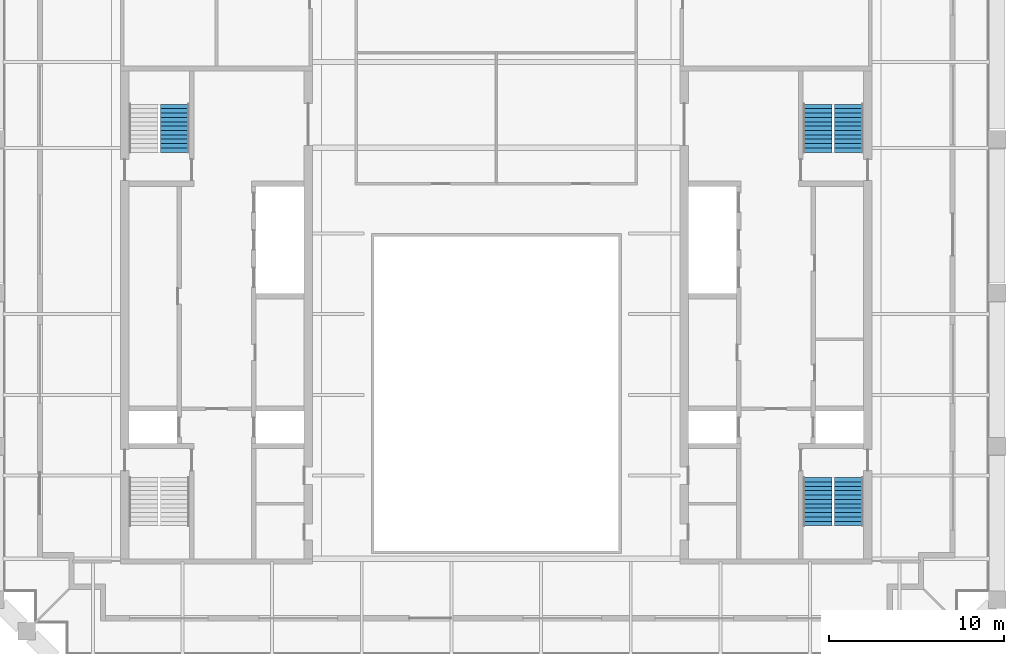
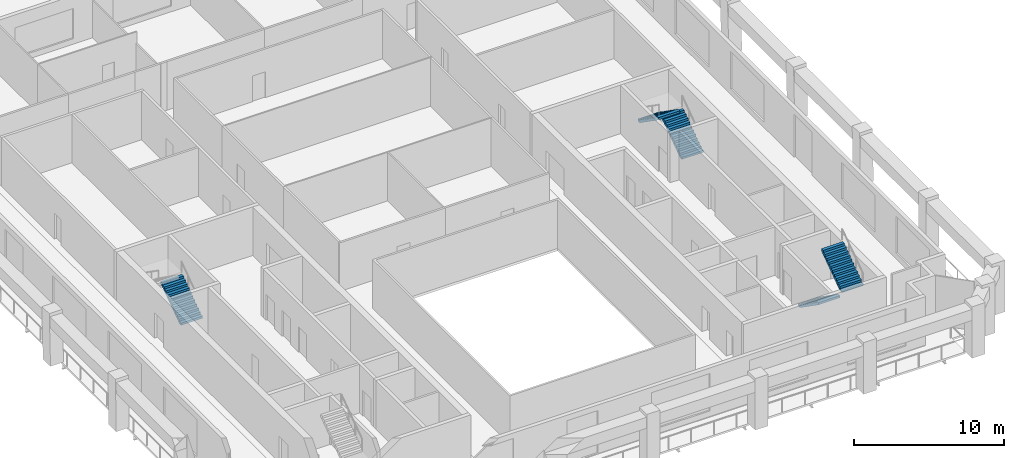
# One storey, part 7 of 9: 5 stair flights, 3 elements without a shape of their own.
"""IFC4 building model written with IfcOpenShell, lengths in metres."""

import ifcopenshell
import ifcopenshell.guid

model = None  # the IFC model being written
_history = None  # IfcOwnerHistory: only IFC2X3 demands one
_inside = {}  # id of a spatial element -> (the spatial element, [elements in it])
_under = {}  # id of a project, library or spatial element -> (it, [spatial elements below it])
_declared = {}  # id of a project -> (the project, [libraries it declares])
_typed = {}  # id of a type object -> (the type object, [elements of that type])
_made_of = {}  # id of a material, layer set ... -> (it, [elements and type objects made of it])


def new_model(schema):
    """Start an empty IFC model of exactly this schema.

    Asked for "IFC4X3", IfcOpenShell would pick the latest addendum, in which some entities
    have other attributes; the version numbers below select the first issue.
    IFC2X3 requires an IfcOwnerHistory on every rooted entity: one is made here for all.
    """
    global model, _history
    if schema == "IFC4X3":
        model = ifcopenshell.file(schema_version=(4, 3, 0, 0))
    else:
        model = ifcopenshell.file(schema=schema)
    _inside.clear()
    _under.clear()
    _declared.clear()
    _typed.clear()
    _made_of.clear()
    _history = None
    if model.schema == "IFC2X3":
        org = make("IfcOrganization", Name="unknown")
        user = make(
            "IfcPersonAndOrganization",
            ThePerson=make("IfcPerson", FamilyName="unknown"),
            TheOrganization=org,
        )
        app = make(
            "IfcApplication",
            ApplicationDeveloper=org,
            Version="unknown",
            ApplicationFullName="unknown",
            ApplicationIdentifier="unknown",
        )
        _history = make(
            "IfcOwnerHistory",
            OwningUser=user,
            OwningApplication=app,
            ChangeAction="ADDED",
            CreationDate=0,
        )
    return model


def make(cls, **values):
    """One entity of the class cls with the attributes given. An attribute that is None is left unset."""
    return model.create_entity(
        cls, **{name: value for name, value in values.items() if value is not None}
    )


def rooted(cls, **values):
    """An entity with a GlobalId (a new one), such as an element, a storey or a relation."""
    return make(cls, GlobalId=ifcopenshell.guid.new(), OwnerHistory=_history, **values)


def si_unit(unit_type, name, prefix=None):
    """IfcSIUnit, for example si_unit("LENGTHUNIT", "METRE", prefix="MILLI")."""
    return make("IfcSIUnit", UnitType=unit_type, Prefix=prefix, Name=name)


def assignment(units):
    """IfcUnitAssignment: the units of a project."""
    return None if units is None else make("IfcUnitAssignment", Units=units)


def point(xyz):
    """IfcCartesianPoint."""
    return None if xyz is None else make("IfcCartesianPoint", Coordinates=xyz)


def direction(xyz):
    """IfcDirection."""
    return None if xyz is None else make("IfcDirection", DirectionRatios=xyz)


def frame(location, z_axis=None, x_axis=None):
    """IfcAxis2Placement3D, a coordinate frame: its origin and axes. An axis left out is left unset."""
    return make(
        "IfcAxis2Placement3D",
        Location=point(location),
        Axis=direction(z_axis),
        RefDirection=direction(x_axis),
    )


def origin():
    """The frame at (0, 0, 0) with its axes left unset."""
    return frame((0.0, 0.0, 0.0))


def place(relative_to, where):
    """IfcLocalPlacement: puts the frame where relative to a parent placement (None: the world)."""
    return make(
        "IfcLocalPlacement", PlacementRelTo=relative_to, RelativePlacement=where
    )


def context(
    kind, dimensions, precision=None, world=None, true_north=None, identifier=None
):
    """IfcGeometricRepresentationContext, for example the 3D "Model" context."""
    return make(
        "IfcGeometricRepresentationContext",
        ContextIdentifier=identifier,
        ContextType=kind,
        CoordinateSpaceDimension=dimensions,
        Precision=precision,
        WorldCoordinateSystem=world,
        TrueNorth=true_north,
    )


def subcontext(parent, identifier, kind, view, scale=None):
    """IfcGeometricRepresentationSubContext, for example "Body" below "Model"."""
    return make(
        "IfcGeometricRepresentationSubContext",
        ContextIdentifier=identifier,
        ContextType=kind,
        ParentContext=parent,
        TargetScale=scale,
        TargetView=view,
    )


def project(units=None, contexts=None):
    """IfcProject with its units and contexts."""
    return rooted(
        "IfcProject",
        Name="project",
        RepresentationContexts=contexts,
        UnitsInContext=assignment(units),
    )


def spatial(cls, under=None, at=None, **own):
    """A site, building, storey or space (cls), placed at a placement, below another one or the project."""
    s = rooted(cls, ObjectPlacement=at, **own)
    if under is not None:
        _under.setdefault(under.id(), (under, []))[1].append(s)
    return s


def polyline(points):
    """IfcPolyline through the points."""
    return make("IfcPolyline", Points=[point(p) for p in points])


def outline(outer, holes=None, kind="AREA"):
    """IfcArbitraryClosedProfileDef: a profile drawn as a closed curve; with holes, ...WithVoids."""
    if holes is None:
        return make("IfcArbitraryClosedProfileDef", ProfileType=kind, OuterCurve=outer)
    return make(
        "IfcArbitraryProfileDefWithVoids",
        ProfileType=kind,
        OuterCurve=outer,
        InnerCurves=holes,
    )


def extrude(swept, where, along, depth):
    """IfcExtrudedAreaSolid: the profile swept, set in the frame where, extruded along a direction by depth."""
    return make(
        "IfcExtrudedAreaSolid",
        SweptArea=swept,
        Position=where,
        ExtrudedDirection=direction(along),
        Depth=depth,
    )


def shape(context_of_items, identifier, shape_type, items):
    """IfcShapeRepresentation: the items that make up one representation, for example the "Body"."""
    return make(
        "IfcShapeRepresentation",
        ContextOfItems=context_of_items,
        RepresentationIdentifier=identifier,
        RepresentationType=shape_type,
        Items=items,
    )


def material(Name=None, Category=None):
    """IfcMaterial."""
    return make("IfcMaterial", Name=Name, Category=Category)


def made_of(thing, what):
    """Note that an element or type object is made of a material, layer set ...; save() writes the relation."""
    if what is not None:
        _made_of.setdefault(what.id(), (what, []))[1].append(thing)
    return thing


def type_object(cls, material=None, **own):
    """A type object (cls), such as IfcWallType, which elements share."""
    return made_of(rooted(cls, **own), material)


def element(
    cls,
    number,
    at=None,
    inside=None,
    cuts=None,
    type_object=None,
    material=None,
    context=None,
    identifier="Body",
    shape_type=None,
    held_by="IfcProductDefinitionShape",
    body=None,
    shapes=None,
    **own,
):
    """One element of the class cls, such as IfcWall. Its Tag is "e" and its number.

    at: its placement. inside: the storey or other place that contains it. cuts: it is an
    opening in that element (IfcRelVoidsElement). A single representation is given by context,
    identifier, shape_type and body (its items); several are given by shapes. held_by: the class
    of the entity that holds the representations. save() writes the other relations.
    """
    e = rooted(cls, Tag="e%d" % number, ObjectPlacement=at, **own)
    if body is not None:
        shapes = [shape(context, identifier, shape_type, body)]
    if shapes is not None:
        e.Representation = make(held_by, Representations=shapes)
    if inside is not None:
        _inside.setdefault(inside.id(), (inside, []))[1].append(e)
    if cuts is not None:
        rooted(
            "IfcRelVoidsElement", RelatingBuildingElement=cuts, RelatedOpeningElement=e
        )
    if type_object is not None:
        _typed.setdefault(type_object.id(), (type_object, []))[1].append(e)
    return made_of(e, material)


def aggregate(whole, parts):
    """IfcRelAggregates: a whole, such as a stair, and the parts it consists of."""
    return rooted("IfcRelAggregates", RelatingObject=whole, RelatedObjects=parts)


def save(model, path):
    """Write the relations noted so far, then the file.

    IfcRelAggregates (storeys below a building ...), IfcRelContainedInSpatialStructure (elements
    in a storey), IfcRelDefinesByType, IfcRelAssociatesMaterial and IfcRelDeclares: one each for
    every whole, place, type object, material and project.
    """
    for whole, parts in _under.values():
        aggregate(whole, parts)
    for where, things in _inside.values():
        rooted(
            "IfcRelContainedInSpatialStructure",
            RelatedElements=things,
            RelatingStructure=where,
        )
    for kind, things in _typed.values():
        rooted("IfcRelDefinesByType", RelatedObjects=things, RelatingType=kind)
    for what, things in _made_of.values():
        rooted("IfcRelAssociatesMaterial", RelatedObjects=things, RelatingMaterial=what)
    for by, libraries in _declared.values():
        rooted("IfcRelDeclares", RelatingContext=by, RelatedDefinitions=libraries)
    model.write(path)


model = new_model("IFC4")

# Units and contexts
model_context = context("Model", 3, precision=1e-05, world=origin(), true_north=direction((0.0, 1.0)))
body_context = subcontext(model_context, "Body", "Model", "MODEL_VIEW")
ifc_project = project(units=[si_unit("LENGTHUNIT", "METRE"), si_unit("AREAUNIT", "SQUARE_METRE"), si_unit("VOLUMEUNIT", "CUBIC_METRE"), si_unit("PLANEANGLEUNIT", "RADIAN"), si_unit("MASSUNIT", "GRAM", prefix="KILO")], contexts=[model_context])

# Site, building, storey
site_placement = place(None, origin())
site = spatial("IfcSite", under=ifc_project, at=site_placement, CompositionType="ELEMENT")
building_placement = place(site_placement, origin())
building = spatial("IfcBuilding", under=site, at=building_placement, Name="Ogive Exchange Tower", CompositionType="ELEMENT")
storey_placement = place(building_placement, frame((0.0, 0.0, 355.199951171875)))
storey = spatial("IfcBuildingStorey", under=building, at=storey_placement, Name="L78", CompositionType="ELEMENT", Elevation=355.199951171875)

# Stair, stair flight
ifc_material = material(Name="Concrete C40/50", Category="concrete")
stair_type = type_object("IfcStairType", Name="Exit stair 1650 wide", PredefinedType="HALF_TURN_STAIR", material=ifc_material)
stair_1_placement = place(storey_placement, origin())
stair_1 = element("IfcStair", 1, at=stair_1_placement, inside=storey, type_object=stair_type, Name="L78 exit stair ST2", PredefinedType="HALF_TURN_STAIR")
stair_flight_type = type_object("IfcStairFlightType", Name="Stair flight 1650 wide", PredefinedType="STRAIGHT", material=ifc_material)
stair_flight_1_placement = place(storey_placement, frame((-18.375, 20.800048828125, 0.0), z_axis=(0.0, 0.0, 1.0), x_axis=(0.0, 1.0, 0.0)))
stair_flight_1 = element("IfcStairFlight", 2, at=stair_flight_1_placement, type_object=stair_flight_type, Name="ST2 flight 1", NumberOfRisers=12, NumberOfTreads=11, PredefinedType="STRAIGHT", RiserHeight=0.175, TreadLength=0.25, context=body_context, shape_type="SweptSolid", body=[
    extrude(outline(polyline([(0.0, 0.0), (0.0, 0.175048828125), (0.25, 0.175048828125), (0.25, 0.35009765625), (0.5, 0.35009765625), (0.5, 0.52490234375), (0.75, 0.52490234375), (0.75, 0.699951171875), (1.0, 0.699951171875), (1.0, 0.875), (1.25, 0.875), (1.25, 1.050048828125), (1.5, 1.050048828125), (1.5, 1.22509765625), (1.75, 1.22509765625), (1.75, 1.39990234375), (2.0, 1.39990234375), (2.0, 1.574951171875), (2.25, 1.574951171875), (2.25, 1.75), (2.5, 1.75), (2.5, 1.925048828125), (2.75, 1.925048828125), (2.75, 2.10009765625), (2.75, 1.741943359375), (0.261474609375, 0.0), (0.0, 0.0)])), frame((0.0, 0.824951171875, 0.0), z_axis=(0.0, -1.0, 0.0), x_axis=(1.0, 0.0, 0.0)), (0.0, 0.0, 1.0), 1.64990234375),
])
aggregate(stair_1, [stair_flight_1])

# Stair, stair flights
stair_2_placement = place(storey_placement, origin())
stair_2 = element("IfcStair", 3, at=stair_2_placement, inside=storey, type_object=stair_type, Name="L78 exit stair ST3", PredefinedType="HALF_TURN_STAIR")
stair_flight_2_placement = place(storey_placement, frame((18.375, 2.199951171875, 0.0), z_axis=(0.0, 0.0, 1.0), x_axis=(0.0, -1.0, 0.0)))
stair_flight_2 = element("IfcStairFlight", 4, at=stair_flight_2_placement, type_object=stair_flight_type, Name="ST3 flight 1", NumberOfRisers=12, NumberOfTreads=11, PredefinedType="STRAIGHT", RiserHeight=0.175, TreadLength=0.25, context=body_context, shape_type="SweptSolid", body=[
    extrude(outline(polyline([(0.0, 0.0), (0.0, 0.175048828125), (0.25, 0.175048828125), (0.25, 0.35009765625), (0.5, 0.35009765625), (0.5, 0.52490234375), (0.75, 0.52490234375), (0.75, 0.699951171875), (1.0, 0.699951171875), (1.0, 0.875), (1.25, 0.875), (1.25, 1.050048828125), (1.5, 1.050048828125), (1.5, 1.22509765625), (1.75, 1.22509765625), (1.75, 1.39990234375), (2.0, 1.39990234375), (2.0, 1.574951171875), (2.25, 1.574951171875), (2.25, 1.75), (2.5, 1.75), (2.5, 1.925048828125), (2.75, 1.925048828125), (2.75, 2.10009765625), (2.75, 1.741943359375), (0.261474609375, 0.0), (0.0, 0.0)])), frame((0.0, 0.824951171875, 0.0), z_axis=(0.0, -1.0, 0.0), x_axis=(1.0, 0.0, 0.0)), (0.0, 0.0, 1.0), 1.64990234375),
])
stair_flight_3_placement = place(storey_placement, frame((20.175048828125, -0.550048828125, 2.10009765625), z_axis=(0.0, 0.0, 1.0), x_axis=(0.0, 1.0, 0.0)))
stair_flight_3 = element("IfcStairFlight", 5, at=stair_flight_3_placement, type_object=stair_flight_type, Name="ST3 flight 2", NumberOfRisers=12, NumberOfTreads=11, PredefinedType="STRAIGHT", RiserHeight=0.175, TreadLength=0.25, context=body_context, shape_type="SweptSolid", body=[
    extrude(outline(polyline([(0.0, 0.0), (0.0, 0.175048828125), (0.25, 0.175048828125), (0.25, 0.35009765625), (0.5, 0.35009765625), (0.5, 0.52490234375), (0.75, 0.52490234375), (0.75, 0.699951171875), (1.0, 0.699951171875), (1.0, 0.875), (1.25, 0.875), (1.25, 1.050048828125), (1.5, 1.050048828125), (1.5, 1.22509765625), (1.75, 1.22509765625), (1.75, 1.39990234375), (2.0, 1.39990234375), (2.0, 1.574951171875), (2.25, 1.574951171875), (2.25, 1.75), (2.5, 1.75), (2.5, 1.925048828125), (2.75, 1.925048828125), (2.75, 2.10009765625), (2.75, 1.741943359375), (0.261474609375, 0.0), (0.0, 0.0)])), frame((0.0, 0.824951171875, 0.0), z_axis=(0.0, -1.0, 0.0), x_axis=(1.0, 0.0, 0.0)), (0.0, 0.0, 1.0), 1.64990234375),
])
aggregate(stair_2, [stair_flight_2, stair_flight_3])

stair_3_placement = place(storey_placement, origin())
stair_3 = element("IfcStair", 6, at=stair_3_placement, inside=storey, type_object=stair_type, Name="L78 exit stair ST4", PredefinedType="HALF_TURN_STAIR")
stair_flight_4_placement = place(storey_placement, frame((20.175048828125, 20.800048828125, 0.0), z_axis=(0.0, 0.0, 1.0), x_axis=(0.0, 1.0, 0.0)))
stair_flight_4 = element("IfcStairFlight", 7, at=stair_flight_4_placement, type_object=stair_flight_type, Name="ST4 flight 1", NumberOfRisers=12, NumberOfTreads=11, PredefinedType="STRAIGHT", RiserHeight=0.175, TreadLength=0.25, context=body_context, shape_type="SweptSolid", body=[
    extrude(outline(polyline([(0.0, 0.0), (0.0, 0.175048828125), (0.25, 0.175048828125), (0.25, 0.35009765625), (0.5, 0.35009765625), (0.5, 0.52490234375), (0.75, 0.52490234375), (0.75, 0.699951171875), (1.0, 0.699951171875), (1.0, 0.875), (1.25, 0.875), (1.25, 1.050048828125), (1.5, 1.050048828125), (1.5, 1.22509765625), (1.75, 1.22509765625), (1.75, 1.39990234375), (2.0, 1.39990234375), (2.0, 1.574951171875), (2.25, 1.574951171875), (2.25, 1.75), (2.5, 1.75), (2.5, 1.925048828125), (2.75, 1.925048828125), (2.75, 2.10009765625), (2.75, 1.741943359375), (0.261474609375, 0.0), (0.0, 0.0)])), frame((0.0, 0.824951171875, 0.0), z_axis=(0.0, -1.0, 0.0), x_axis=(1.0, 0.0, 0.0)), (0.0, 0.0, 1.0), 1.64990234375),
])
stair_flight_5_placement = place(storey_placement, frame((18.375, 23.550048828125, 2.10009765625), z_axis=(0.0, 0.0, 1.0), x_axis=(0.0, -1.0, 0.0)))
stair_flight_5 = element("IfcStairFlight", 8, at=stair_flight_5_placement, type_object=stair_flight_type, Name="ST4 flight 2", NumberOfRisers=12, NumberOfTreads=11, PredefinedType="STRAIGHT", RiserHeight=0.175, TreadLength=0.25, context=body_context, shape_type="SweptSolid", body=[
    extrude(outline(polyline([(0.0, 0.0), (0.0, 0.175048828125), (0.25, 0.175048828125), (0.25, 0.35009765625), (0.5, 0.35009765625), (0.5, 0.52490234375), (0.75, 0.52490234375), (0.75, 0.699951171875), (1.0, 0.699951171875), (1.0, 0.875), (1.25, 0.875), (1.25, 1.050048828125), (1.5, 1.050048828125), (1.5, 1.22509765625), (1.75, 1.22509765625), (1.75, 1.39990234375), (2.0, 1.39990234375), (2.0, 1.574951171875), (2.25, 1.574951171875), (2.25, 1.75), (2.5, 1.75), (2.5, 1.925048828125), (2.75, 1.925048828125), (2.75, 2.10009765625), (2.75, 1.741943359375), (0.261474609375, 0.0), (0.0, 0.0)])), frame((0.0, 0.824951171875, 0.0), z_axis=(0.0, -1.0, 0.0), x_axis=(1.0, 0.0, 0.0)), (0.0, 0.0, 1.0), 1.64990234375),
])
aggregate(stair_3, [stair_flight_4, stair_flight_5])

save(model, "model.ifc")
